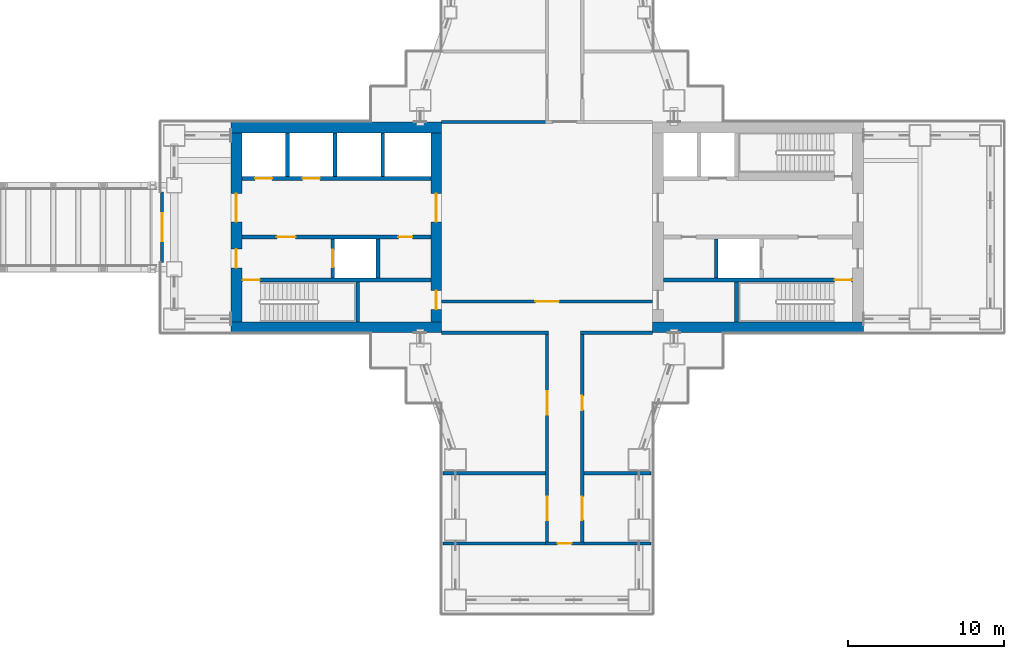
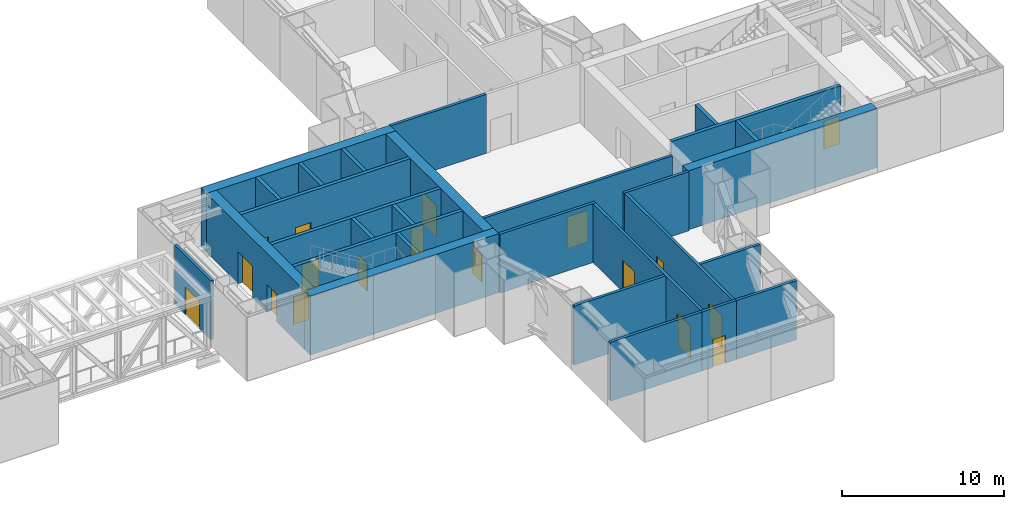
# One storey, part 13 of 23: 29 walls, 18 doors, 18 openings.
"""IFC4 building model written with IfcOpenShell, lengths in metres."""

from ifc_helpers import new_model, si_unit, direction, frame, frame_2d, origin, place, context, subcontext, project, spatial, rectangle, extrude, material, layer, layer_set, type_object, element, fill, save


model = new_model("IFC4")

# Units and contexts
model_context = context("Model", 3, precision=1e-05, world=origin(), true_north=direction((0.0, 1.0)))
body_context = subcontext(model_context, "Body", "Model", "MODEL_VIEW")
ifc_project = project(units=[si_unit("LENGTHUNIT", "METRE"), si_unit("AREAUNIT", "SQUARE_METRE"), si_unit("VOLUMEUNIT", "CUBIC_METRE"), si_unit("PLANEANGLEUNIT", "RADIAN"), si_unit("MASSUNIT", "GRAM", prefix="KILO")], contexts=[model_context])

# Site, building, storey
site_placement = place(None, origin())
site = spatial("IfcSite", under=ifc_project, at=site_placement, CompositionType="ELEMENT")
building_placement = place(site_placement, origin())
building = spatial("IfcBuilding", under=site, at=building_placement, Name="Shamsa Quay Exchange Towers", CompositionType="ELEMENT")
storey_placement = place(building_placement, frame((0.0, 0.0, 77.10009765625)))
storey = spatial("IfcBuildingStorey", under=building, at=storey_placement, Name="L17", CompositionType="ELEMENT", Elevation=77.10009765625)

# Walls
ifc_material_1 = material(Name="Concrete C80/95", Category="concrete")
ifc_layer_1 = layer(ifc_material_1, 0.699951171875)
ifc_layer_set_1 = layer_set([ifc_layer_1], Name="CORE WALL 700 C80/95")
wall_type_1 = type_object("IfcWallType", Name="CORE WALL 700 C80/95", PredefinedType="SHEAR", material=ifc_layer_set_1)
for number, where, name in (
    (1, (13.5, -6.39990234375, 0.0), "Core wall T2A-L17-PS"),
    (2, (13.5, 6.39990234375, 0.0), "Core wall T2A-L17-PN"),
):
    element("IfcWall", number, at=place(storey_placement, frame(where)), inside=storey, type_object=wall_type_1, Name=name, PredefinedType="SHEAR", context=body_context, shape_type="SweptSolid", body=[
        extrude(rectangle(XDim=13.5, YDim=0.699951171875, at=frame_2d((6.75, 0.0))), origin(), (0.0, 0.0, 1.0), 4.449951171875),
    ])

# Wall, openings, doors
wall_1_placement = place(storey_placement, frame((13.85009765625, 6.050048828125, 0.0), z_axis=(0.0, 0.0, 1.0), x_axis=(0.0, -1.0, 0.0)))
wall_1 = element("IfcWall", 3, at=wall_1_placement, inside=storey, type_object=wall_type_1, Name="Core wall T2A-L17-PF", PredefinedType="SHEAR", context=body_context, shape_type="SweptSolid", body=[
    extrude(rectangle(XDim=12.10009765625, YDim=0.699951171875, at=frame_2d((6.050048828125, 0.0))), origin(), (0.0, 0.0, 1.0), 4.449951171875),
])
opening_1_placement = place(wall_1_placement, frame((7.449951171875, 0.0, 0.0)))
opening_1 = element("IfcOpeningElement", 4, at=opening_1_placement, cuts=wall_1, Name="Opening T2A-L17-FD01", PredefinedType="OPENING", context=body_context, shape_type="SweptSolid", body=[
    extrude(rectangle(XDim=1.199951171875, YDim=2.10009765625, at=frame_2d((0.60009765625, 1.050048828125))), frame((0.0, 0.35986328125, 0.0), z_axis=(0.0, -1.0, 0.0), x_axis=(1.0, 0.0, 0.0)), (0.0, 0.0, 1.0), 0.719970703125),
])
opening_2_placement = place(wall_1_placement, frame((3.89990234375, 0.0, 0.0)))
opening_2 = element("IfcOpeningElement", 5, at=opening_2_placement, cuts=wall_1, Name="Opening T2A-L17-LBD02", PredefinedType="OPENING", context=body_context, shape_type="SweptSolid", body=[
    extrude(rectangle(XDim=1.800048828125, YDim=2.39990234375, at=frame_2d((0.89990234375, 1.199951171875))), frame((0.0, 0.35986328125, 0.0), z_axis=(0.0, -1.0, 0.0), x_axis=(1.0, 0.0, 0.0)), (0.0, 0.0, 1.0), 0.719970703125),
])
ifc_material_2 = material(Name="Steel, fire rated", Category="steel")
door_type_1 = type_object("IfcDoorType", Name="FIRE SERVICE LOBBY DOOR 1200", OperationType="SINGLE_SWING_LEFT", PredefinedType="DOOR", material=ifc_material_2)
door_1_placement = place(opening_1_placement, origin())
door_1 = element("IfcDoor", 6, at=door_1_placement, inside=storey, type_object=door_type_1, Name="T2A-L17-FD01", OperationType="SINGLE_SWING_RIGHT", OverallHeight=2.10009765625, OverallWidth=1.199951171875, PredefinedType="DOOR", context=body_context, shape_type="SweptSolid", body=[
    extrude(rectangle(XDim=1.199951171875, YDim=2.10009765625, at=frame_2d((0.60009765625, 1.050048828125))), frame((0.0, 0.02490234375, 0.0), z_axis=(0.0, -1.0, 0.0), x_axis=(1.0, 0.0, 0.0)), (0.0, 0.0, 1.0), 0.050048828125),
])
fill(opening_1, door_1)
door_type_2 = type_object("IfcDoorType", Name="LIFT LOBBY DOOR PAIR 1800", OperationType="DOUBLE_DOOR_SINGLE_SWING", PredefinedType="DOOR", material=ifc_material_2)
door_2_placement = place(opening_2_placement, origin())
door_2 = element("IfcDoor", 7, at=door_2_placement, inside=storey, type_object=door_type_2, Name="T2A-L17-LBD02", OperationType="DOUBLE_DOOR_SINGLE_SWING", OverallHeight=2.39990234375, OverallWidth=1.800048828125, PredefinedType="DOOR", context=body_context, shape_type="SweptSolid", body=[
    extrude(rectangle(XDim=1.800048828125, YDim=2.39990234375, at=frame_2d((0.89990234375, 1.199951171875))), frame((0.0, 0.02490234375, 0.0), z_axis=(0.0, -1.0, 0.0), x_axis=(1.0, 0.0, 0.0)), (0.0, 0.0, 1.0), 0.050048828125),
])
fill(opening_2, door_2)

wall_2_placement = place(storey_placement, frame((26.64990234375, 6.050048828125, 0.0), z_axis=(0.0, 0.0, 1.0), x_axis=(0.0, -1.0, 0.0)))
wall_2 = element("IfcWall", 8, at=wall_2_placement, inside=storey, type_object=wall_type_1, Name="Core wall T2A-L17-PB", PredefinedType="SHEAR", context=body_context, shape_type="SweptSolid", body=[
    extrude(rectangle(XDim=12.10009765625, YDim=0.699951171875, at=frame_2d((6.050048828125, 0.0))), origin(), (0.0, 0.0, 1.0), 4.449951171875),
])
opening_3_placement = place(wall_2_placement, frame((10.10009765625, 0.0, 0.0)))
opening_3 = element("IfcOpeningElement", 9, at=opening_3_placement, cuts=wall_2, Name="Opening T2A-L17-RD03", PredefinedType="OPENING", context=body_context, shape_type="SweptSolid", body=[
    extrude(rectangle(XDim=1.199951171875, YDim=2.10009765625, at=frame_2d((0.60009765625, 1.050048828125))), frame((0.0, 0.35986328125, 0.0), z_axis=(0.0, -1.0, 0.0), x_axis=(1.0, 0.0, 0.0)), (0.0, 0.0, 1.0), 0.719970703125),
])
opening_4_placement = place(wall_2_placement, frame((3.89990234375, 0.0, 0.0)))
opening_4 = element("IfcOpeningElement", 10, at=opening_4_placement, cuts=wall_2, Name="Opening T2A-L17-LBD04", PredefinedType="OPENING", context=body_context, shape_type="SweptSolid", body=[
    extrude(rectangle(XDim=1.800048828125, YDim=2.39990234375, at=frame_2d((0.89990234375, 1.199951171875))), frame((0.0, 0.35986328125, 0.0), z_axis=(0.0, -1.0, 0.0), x_axis=(1.0, 0.0, 0.0)), (0.0, 0.0, 1.0), 0.719970703125),
])
door_3_placement = place(opening_4_placement, origin())
door_3 = element("IfcDoor", 11, at=door_3_placement, inside=storey, type_object=door_type_2, Name="T2A-L17-LBD04", OperationType="DOUBLE_DOOR_SINGLE_SWING", OverallHeight=2.39990234375, OverallWidth=1.800048828125, PredefinedType="DOOR", context=body_context, shape_type="SweptSolid", body=[
    extrude(rectangle(XDim=1.800048828125, YDim=2.39990234375, at=frame_2d((0.89990234375, 1.199951171875))), frame((0.0, 0.02490234375, 0.0), z_axis=(0.0, -1.0, 0.0), x_axis=(1.0, 0.0, 0.0)), (0.0, 0.0, 1.0), 0.050048828125),
])
fill(opening_4, door_3)
door_type_3 = type_object("IfcDoorType", Name="RISER ACCESS DOOR 1200", OperationType="SINGLE_SWING_LEFT", PredefinedType="DOOR", material=ifc_material_2)
door_4_placement = place(opening_3_placement, origin())
door_4 = element("IfcDoor", 12, at=door_4_placement, inside=storey, type_object=door_type_3, Name="T2A-L17-RD03", OperationType="SINGLE_SWING_RIGHT", OverallHeight=2.10009765625, OverallWidth=1.199951171875, PredefinedType="DOOR", context=body_context, shape_type="SweptSolid", body=[
    extrude(rectangle(XDim=1.199951171875, YDim=2.10009765625, at=frame_2d((0.60009765625, 1.050048828125))), frame((0.0, 0.02490234375, 0.0), z_axis=(0.0, -1.0, 0.0), x_axis=(1.0, 0.0, 0.0)), (0.0, 0.0, 1.0), 0.050048828125),
])
fill(opening_3, door_4)

# Wall
wall_3_placement = place(storey_placement, frame((54.0, -6.39990234375, 0.0), z_axis=(0.0, 0.0, 1.0), x_axis=(-1.0, 0.0, 0.0)))
element("IfcWall", 13, at=wall_3_placement, inside=storey, type_object=wall_type_1, Name="Core wall T2B-L17-PS", PredefinedType="SHEAR", context=body_context, shape_type="SweptSolid", body=[
    extrude(rectangle(XDim=13.5, YDim=0.699951171875, at=frame_2d((6.75, 0.0))), origin(), (0.0, 0.0, 1.0), 4.449951171875),
])

# Wall, opening, door
ifc_material_3 = material(Name="Gypsum board partition on metal studs")
ifc_layer_2 = layer(ifc_material_3, 0.199951171875)
ifc_layer_set_2 = layer_set([ifc_layer_2], Name="Partition 200 mm EI 120")
wall_type_2 = type_object("IfcWallType", Name="Partition 200 mm EI 120", PredefinedType="PARTITIONING", material=ifc_layer_set_2)
wall_4_placement = place(storey_placement, frame((40.5, -4.75, 0.0), z_axis=(0.0, 0.0, 1.0), x_axis=(-1.0, 0.0, 0.0)))
wall_4 = element("IfcWall", 14, at=wall_4_placement, inside=storey, type_object=wall_type_2, Name="Partition T2-L17-W01", PredefinedType="PARTITIONING", context=body_context, shape_type="SweptSolid", body=[
    extrude(rectangle(XDim=13.5, YDim=0.199951171875, at=frame_2d((6.75, 0.0))), origin(), (0.0, 0.0, 1.0), 4.449951171875),
])
opening_5_placement = place(wall_4_placement, frame((6.0, 0.0, 0.0)))
opening_5 = element("IfcOpeningElement", 15, at=opening_5_placement, cuts=wall_4, Name="Opening T2-L17-D12", PredefinedType="OPENING", context=body_context, shape_type="SweptSolid", body=[
    extrude(rectangle(XDim=1.5, YDim=2.39990234375, at=frame_2d((0.75, 1.199951171875))), frame((0.0, 0.10986328125, 0.0), z_axis=(0.0, -1.0, 0.0), x_axis=(1.0, 0.0, 0.0)), (0.0, 0.0, 1.0), 0.219970703125),
])
ifc_material_4 = material(Name="Timber door leaf in a metal frame", Category="wood")
door_type_4 = type_object("IfcDoorType", Name="Door 1500x2400 FD60 pair", OperationType="NOTDEFINED", PredefinedType="DOOR", material=ifc_material_4)
door_5_placement = place(opening_5_placement, origin())
door_5 = element("IfcDoor", 16, at=door_5_placement, inside=storey, type_object=door_type_4, Name="Door T2-L17-D12", OperationType="DOUBLE_DOOR_SINGLE_SWING", OverallHeight=2.39990234375, OverallWidth=1.5, PredefinedType="DOOR", context=body_context, shape_type="SweptSolid", body=[
    extrude(rectangle(XDim=1.5, YDim=2.39990234375, at=frame_2d((0.75, 1.199951171875))), frame((0.0, 0.02490234375, 0.0), z_axis=(0.0, -1.0, 0.0), x_axis=(1.0, 0.0, 0.0)), (0.0, 0.0, 1.0), 0.050048828125),
])
fill(opening_5, door_5)

# Walls
wall_5_placement = place(storey_placement, frame((33.85009765625, -6.75, 0.0), z_axis=(0.0, 0.0, 1.0), x_axis=(-1.0, 0.0, 0.0)))
element("IfcWall", 17, at=wall_5_placement, inside=storey, type_object=wall_type_2, Name="Partition T2-L17-W02", PredefinedType="PARTITIONING", context=body_context, shape_type="SweptSolid", body=[
    extrude(rectangle(XDim=6.85009765625, YDim=0.199951171875, at=frame_2d((3.425048828125, 0.0))), origin(), (0.0, 0.0, 1.0), 4.449951171875),
])
wall_6_placement = place(storey_placement, frame((40.5, -6.75, 0.0), z_axis=(0.0, 0.0, 1.0), x_axis=(-1.0, 0.0, 0.0)))
element("IfcWall", 18, at=wall_6_placement, inside=storey, type_object=wall_type_2, Name="Partition T2-L17-W03", PredefinedType="PARTITIONING", context=body_context, shape_type="SweptSolid", body=[
    extrude(rectangle(XDim=4.60009765625, YDim=0.199951171875, at=frame_2d((2.300048828125, 0.0))), origin(), (0.0, 0.0, 1.0), 4.449951171875),
])

# Wall, openings, doors
wall_7_placement = place(storey_placement, frame((33.75, -20.14990234375, 0.0), z_axis=(0.0, 0.0, 1.0), x_axis=(0.0, 1.0, 0.0)))
wall_7 = element("IfcWall", 19, at=wall_7_placement, inside=storey, type_object=wall_type_2, Name="Partition T2-L17-W05", PredefinedType="PARTITIONING", context=body_context, shape_type="SweptSolid", body=[
    extrude(rectangle(XDim=13.2998046875, YDim=0.199951171875, at=frame_2d((6.64990234375, 0.0))), origin(), (0.0, 0.0, 1.0), 4.449951171875),
])
opening_6_placement = place(wall_7_placement, frame((8.14990234375, 0.0, 0.0)))
opening_6 = element("IfcOpeningElement", 20, at=opening_6_placement, cuts=wall_7, Name="Opening T2-L17-D08", PredefinedType="OPENING", context=body_context, shape_type="SweptSolid", body=[
    extrude(rectangle(XDim=1.5, YDim=2.39990234375, at=frame_2d((0.75, 1.199951171875))), frame((0.0, 0.10986328125, 0.0), z_axis=(0.0, -1.0, 0.0), x_axis=(1.0, 0.0, 0.0)), (0.0, 0.0, 1.0), 0.219970703125),
])
opening_7_placement = place(wall_7_placement, frame((1.39990234375, 0.0, 0.0)))
opening_7 = element("IfcOpeningElement", 21, at=opening_7_placement, cuts=wall_7, Name="Opening T2-L17-D09", PredefinedType="OPENING", context=body_context, shape_type="SweptSolid", body=[
    extrude(rectangle(XDim=1.5, YDim=2.39990234375, at=frame_2d((0.75, 1.199951171875))), frame((0.0, 0.10986328125, 0.0), z_axis=(0.0, -1.0, 0.0), x_axis=(1.0, 0.0, 0.0)), (0.0, 0.0, 1.0), 0.219970703125),
])
door_6_placement = place(opening_6_placement, origin())
door_6 = element("IfcDoor", 22, at=door_6_placement, inside=storey, type_object=door_type_4, Name="Door T2-L17-D08", OperationType="DOUBLE_DOOR_SINGLE_SWING", OverallHeight=2.39990234375, OverallWidth=1.5, PredefinedType="DOOR", context=body_context, shape_type="SweptSolid", body=[
    extrude(rectangle(XDim=1.5, YDim=2.39990234375, at=frame_2d((0.75, 1.199951171875))), frame((0.0, 0.02490234375, 0.0), z_axis=(0.0, -1.0, 0.0), x_axis=(1.0, 0.0, 0.0)), (0.0, 0.0, 1.0), 0.050048828125),
])
fill(opening_6, door_6)
door_7_placement = place(opening_7_placement, origin())
door_7 = element("IfcDoor", 23, at=door_7_placement, inside=storey, type_object=door_type_4, Name="Door T2-L17-D09", OperationType="DOUBLE_DOOR_SINGLE_SWING", OverallHeight=2.39990234375, OverallWidth=1.5, PredefinedType="DOOR", context=body_context, shape_type="SweptSolid", body=[
    extrude(rectangle(XDim=1.5, YDim=2.39990234375, at=frame_2d((0.75, 1.199951171875))), frame((0.0, 0.02490234375, 0.0), z_axis=(0.0, -1.0, 0.0), x_axis=(1.0, 0.0, 0.0)), (0.0, 0.0, 1.0), 0.050048828125),
])
fill(opening_7, door_7)

wall_8_placement = place(storey_placement, frame((36.0, -6.85009765625, 0.0), z_axis=(0.0, 0.0, 1.0), x_axis=(0.0, -1.0, 0.0)))
wall_8 = element("IfcWall", 24, at=wall_8_placement, inside=storey, type_object=wall_type_2, Name="Partition T2-L17-W06", PredefinedType="PARTITIONING", context=body_context, shape_type="SweptSolid", body=[
    extrude(rectangle(XDim=13.2998046875, YDim=0.199951171875, at=frame_2d((6.64990234375, 0.0))), origin(), (0.0, 0.0, 1.0), 4.449951171875),
])
opening_8_placement = place(wall_8_placement, frame((10.39990234375, 0.0, 0.0)))
opening_8 = element("IfcOpeningElement", 25, at=opening_8_placement, cuts=wall_8, Name="Opening T2-L17-D01", PredefinedType="OPENING", context=body_context, shape_type="SweptSolid", body=[
    extrude(rectangle(XDim=1.5, YDim=2.39990234375, at=frame_2d((0.75, 1.199951171875))), frame((0.0, 0.10986328125, 0.0), z_axis=(0.0, -1.0, 0.0), x_axis=(1.0, 0.0, 0.0)), (0.0, 0.0, 1.0), 0.219970703125),
])
opening_9_placement = place(wall_8_placement, frame((3.949951171875, 0.0, 0.0)))
opening_9 = element("IfcOpeningElement", 26, at=opening_9_placement, cuts=wall_8, Name="Opening T2-L17-D02", PredefinedType="OPENING", context=body_context, shape_type="SweptSolid", body=[
    extrude(rectangle(XDim=0.89990234375, YDim=2.10009765625, at=frame_2d((0.449951171875, 1.050048828125))), frame((0.0, 0.10986328125, 0.0), z_axis=(0.0, -1.0, 0.0), x_axis=(1.0, 0.0, 0.0)), (0.0, 0.0, 1.0), 0.219970703125),
])
door_8_placement = place(opening_8_placement, origin())
door_8 = element("IfcDoor", 27, at=door_8_placement, inside=storey, type_object=door_type_4, Name="Door T2-L17-D01", OperationType="DOUBLE_DOOR_SINGLE_SWING", OverallHeight=2.39990234375, OverallWidth=1.5, PredefinedType="DOOR", context=body_context, shape_type="SweptSolid", body=[
    extrude(rectangle(XDim=1.5, YDim=2.39990234375, at=frame_2d((0.75, 1.199951171875))), frame((0.0, 0.02490234375, 0.0), z_axis=(0.0, -1.0, 0.0), x_axis=(1.0, 0.0, 0.0)), (0.0, 0.0, 1.0), 0.050048828125),
])
fill(opening_8, door_8)
door_type_5 = type_object("IfcDoorType", Name="Door 900x2100 FD60", OperationType="NOTDEFINED", PredefinedType="DOOR", material=ifc_material_4)
door_9_placement = place(opening_9_placement, origin())
door_9 = element("IfcDoor", 28, at=door_9_placement, inside=storey, type_object=door_type_5, Name="Door T2-L17-D02", OperationType="SINGLE_SWING_LEFT", OverallHeight=2.10009765625, OverallWidth=0.89990234375, PredefinedType="DOOR", context=body_context, shape_type="SweptSolid", body=[
    extrude(rectangle(XDim=0.89990234375, YDim=2.10009765625, at=frame_2d((0.449951171875, 1.050048828125))), frame((0.0, 0.02490234375, 0.0), z_axis=(0.0, -1.0, 0.0), x_axis=(1.0, 0.0, 0.0)), (0.0, 0.0, 1.0), 0.050048828125),
])
fill(opening_9, door_9)

# Walls
wall_9_placement = place(storey_placement, frame((33.85009765625, 6.75, 0.0), z_axis=(0.0, 0.0, 1.0), x_axis=(-1.0, 0.0, 0.0)))
element("IfcWall", 29, at=wall_9_placement, inside=storey, type_object=wall_type_2, Name="Partition T2-L17-W11", PredefinedType="PARTITIONING", context=body_context, shape_type="SweptSolid", body=[
    extrude(rectangle(XDim=6.85009765625, YDim=0.199951171875, at=frame_2d((3.425048828125, 0.0))), origin(), (0.0, 0.0, 1.0), 4.449951171875),
])
wall_10_placement = place(storey_placement, frame((36.10009765625, -15.75, 0.0)))
element("IfcWall", 30, at=wall_10_placement, inside=storey, type_object=wall_type_2, Name="Partition T2-L17-W17", PredefinedType="PARTITIONING", context=body_context, shape_type="SweptSolid", body=[
    extrude(rectangle(XDim=4.304931640625, YDim=0.199951171875, at=frame_2d((2.15234375, 0.0))), origin(), (0.0, 0.0, 1.0), 4.449951171875),
])
wall_11_placement = place(storey_placement, frame((27.094970703125, -15.75, 0.0)))
element("IfcWall", 31, at=wall_11_placement, inside=storey, type_object=wall_type_2, Name="Partition T2-L17-W18", PredefinedType="PARTITIONING", context=body_context, shape_type="SweptSolid", body=[
    extrude(rectangle(XDim=6.554931640625, YDim=0.199951171875, at=frame_2d((3.27734375, 0.0))), origin(), (0.0, 0.0, 1.0), 4.449951171875),
])
wall_12_placement = place(storey_placement, frame((35.89990234375, -20.25, 0.0)))
element("IfcWall", 32, at=wall_12_placement, inside=storey, type_object=wall_type_2, Name="Partition T2-L17-W19", PredefinedType="PARTITIONING", context=body_context, shape_type="SweptSolid", body=[
    extrude(rectangle(XDim=4.505126953125, YDim=0.199951171875, at=frame_2d((2.25244140625, 0.0))), origin(), (0.0, 0.0, 1.0), 4.449951171875),
])
wall_13_placement = place(storey_placement, frame((27.094970703125, -20.25, 0.0)))
element("IfcWall", 33, at=wall_13_placement, inside=storey, type_object=wall_type_2, Name="Partition T2-L17-W20", PredefinedType="PARTITIONING", context=body_context, shape_type="SweptSolid", body=[
    extrude(rectangle(XDim=6.755126953125, YDim=0.199951171875, at=frame_2d((3.37744140625, 0.0))), origin(), (0.0, 0.0, 1.0), 4.449951171875),
])

# Wall, opening, door
ifc_layer_3 = layer(ifc_material_3, 0.199951171875)
ifc_layer_set_3 = layer_set([ifc_layer_3], Name="Partition 200 mm EI 90")
wall_type_3 = type_object("IfcWallType", Name="Partition 200 mm EI 90", PredefinedType="PARTITIONING", material=ifc_layer_set_3)
wall_14_placement = place(storey_placement, frame((36.10009765625, -20.25, 0.0), z_axis=(0.0, 0.0, 1.0), x_axis=(-1.0, 0.0, 0.0)))
wall_14 = element("IfcWall", 34, at=wall_14_placement, inside=storey, type_object=wall_type_3, Name="Partition T2-L17-W08", PredefinedType="PARTITIONING", context=body_context, shape_type="SweptSolid", body=[
    extrude(rectangle(XDim=2.4501953125, YDim=0.199951171875, at=frame_2d((1.22509765625, 0.0))), origin(), (0.0, 0.0, 1.0), 4.449951171875),
])
opening_10_placement = place(wall_14_placement, frame((0.77490234375, 0.0, 0.0)))
opening_10 = element("IfcOpeningElement", 35, at=opening_10_placement, cuts=wall_14, Name="Opening T2-L17-D07", PredefinedType="OPENING", context=body_context, shape_type="SweptSolid", body=[
    extrude(rectangle(XDim=0.89990234375, YDim=2.10009765625, at=frame_2d((0.449951171875, 1.050048828125))), frame((0.0, 0.10986328125, 0.0), z_axis=(0.0, -1.0, 0.0), x_axis=(1.0, 0.0, 0.0)), (0.0, 0.0, 1.0), 0.219970703125),
])
door_10_placement = place(opening_10_placement, origin())
door_10 = element("IfcDoor", 36, at=door_10_placement, inside=storey, type_object=door_type_5, Name="Door T2-L17-D07", OperationType="SINGLE_SWING_RIGHT", OverallHeight=2.10009765625, OverallWidth=0.89990234375, PredefinedType="DOOR", context=body_context, shape_type="SweptSolid", body=[
    extrude(rectangle(XDim=0.89990234375, YDim=2.10009765625, at=frame_2d((0.449951171875, 1.050048828125))), frame((0.0, 0.02490234375, 0.0), z_axis=(0.0, -1.0, 0.0), x_axis=(1.0, 0.0, 0.0)), (0.0, 0.0, 1.0), 0.050048828125),
])
fill(opening_10, door_10)

ifc_material_5 = material(Name="Fire-rated masonry and board wall", Category="masonry")
ifc_layer_4 = layer(ifc_material_5, 0.199951171875)
ifc_layer_set_4 = layer_set([ifc_layer_4], Name="Portal wall 200 mm EI 120")
wall_type_4 = type_object("IfcWallType", Name="Portal wall 200 mm EI 120", PredefinedType="PARTITIONING", material=ifc_layer_set_4)
wall_15_placement = place(storey_placement, frame((9.10009765625, 2.25, 0.0), z_axis=(0.0, 0.0, 1.0), x_axis=(0.0, -1.0, 0.0)))
wall_15 = element("IfcWall", 37, at=wall_15_placement, inside=storey, type_object=wall_type_4, Name="Portal wall T2-L17-W21", PredefinedType="PARTITIONING", context=body_context, shape_type="SweptSolid", body=[
    extrude(rectangle(XDim=4.5, YDim=0.199951171875, at=frame_2d((2.25, 0.0))), origin(), (0.0, 0.0, 1.0), 4.449951171875),
])
opening_11_placement = place(wall_15_placement, frame((1.35009765625, 0.0, 0.0)))
opening_11 = element("IfcOpeningElement", 38, at=opening_11_placement, cuts=wall_15, Name="Opening T2-L17-D13", PredefinedType="OPENING", context=body_context, shape_type="SweptSolid", body=[
    extrude(rectangle(XDim=1.800048828125, YDim=2.10009765625, at=frame_2d((0.89990234375, 1.050048828125))), frame((0.0, 0.10986328125, 0.0), z_axis=(0.0, -1.0, 0.0), x_axis=(1.0, 0.0, 0.0)), (0.0, 0.0, 1.0), 0.219970703125),
])
door_type_6 = type_object("IfcDoorType", Name="Door 1800x2100 FD90 pair", OperationType="NOTDEFINED", PredefinedType="DOOR", material=ifc_material_4)
door_11_placement = place(opening_11_placement, origin())
door_11 = element("IfcDoor", 39, at=door_11_placement, inside=storey, type_object=door_type_6, Name="Door T2-L17-D13", OperationType="DOUBLE_DOOR_SINGLE_SWING", OverallHeight=2.10009765625, OverallWidth=1.800048828125, PredefinedType="DOOR", context=body_context, shape_type="SweptSolid", body=[
    extrude(rectangle(XDim=1.800048828125, YDim=2.10009765625, at=frame_2d((0.89990234375, 1.050048828125))), frame((0.0, 0.02490234375, 0.0), z_axis=(0.0, -1.0, 0.0), x_axis=(1.0, 0.0, 0.0)), (0.0, 0.0, 1.0), 0.050048828125),
])
fill(opening_11, door_11)

ifc_material_6 = material(Name="Concrete C50/60", Category="concrete")
ifc_layer_5 = layer(ifc_material_6, 0.25)
ifc_layer_set_5 = layer_set([ifc_layer_5], Name="SHAFT WALL 250 C50/60")
wall_type_5 = type_object("IfcWallType", Name="SHAFT WALL 250 C50/60", PredefinedType="SHEAR", material=ifc_layer_set_5)
wall_16_placement = place(storey_placement, frame((26.300048828125, -3.375, 0.0), z_axis=(0.0, 0.0, 1.0), x_axis=(-1.0, 0.0, 0.0)))
wall_16 = element("IfcWall", 40, at=wall_16_placement, inside=storey, type_object=wall_type_5, Name="Shaft wall T2A-L17-STL", PredefinedType="SHEAR", context=body_context, shape_type="SweptSolid", body=[
    extrude(rectangle(XDim=12.10009765625, YDim=0.25, at=frame_2d((6.050048828125, 0.0))), origin(), (0.0, 0.0, 1.0), 4.449951171875),
])
opening_12_placement = place(wall_16_placement, frame((10.949951171875, 0.0, 0.0)))
opening_12 = element("IfcOpeningElement", 41, at=opening_12_placement, cuts=wall_16, Name="Opening T2A-L17-SD05", PredefinedType="OPENING", context=body_context, shape_type="SweptSolid", body=[
    extrude(rectangle(XDim=1.10009765625, YDim=2.10009765625, at=frame_2d((0.550048828125, 1.050048828125))), frame((0.0, 0.135009765625, 0.0), z_axis=(0.0, -1.0, 0.0), x_axis=(1.0, 0.0, 0.0)), (0.0, 0.0, 1.0), 0.27001953125),
])
door_type_7 = type_object("IfcDoorType", Name="STAIR DOOR 1100", OperationType="SINGLE_SWING_LEFT", PredefinedType="DOOR", material=ifc_material_2)
door_12_placement = place(opening_12_placement, origin())
door_12 = element("IfcDoor", 42, at=door_12_placement, inside=storey, type_object=door_type_7, Name="T2A-L17-SD05", OperationType="SINGLE_SWING_RIGHT", OverallHeight=2.10009765625, OverallWidth=1.10009765625, PredefinedType="DOOR", context=body_context, shape_type="SweptSolid", body=[
    extrude(rectangle(XDim=1.10009765625, YDim=2.10009765625, at=frame_2d((0.550048828125, 1.050048828125))), frame((0.0, 0.02490234375, 0.0), z_axis=(0.0, -1.0, 0.0), x_axis=(1.0, 0.0, 0.0)), (0.0, 0.0, 1.0), 0.050048828125),
])
fill(opening_12, door_12)

# Wall
wall_17_placement = place(storey_placement, frame((21.625, -6.050048828125, 0.0), z_axis=(0.0, 0.0, 1.0), x_axis=(0.0, 1.0, 0.0)))
element("IfcWall", 43, at=wall_17_placement, inside=storey, type_object=wall_type_5, Name="Shaft wall T2A-L17-STF", PredefinedType="SHEAR", context=body_context, shape_type="SweptSolid", body=[
    extrude(rectangle(XDim=2.550048828125, YDim=0.25, at=frame_2d((1.27490234375, 0.0))), origin(), (0.0, 0.0, 1.0), 4.449951171875),
])

# Wall, openings, doors
wall_18_placement = place(storey_placement, frame((26.300048828125, -0.625, 0.0), z_axis=(0.0, 0.0, 1.0), x_axis=(-1.0, 0.0, 0.0)))
wall_18 = element("IfcWall", 44, at=wall_18_placement, inside=storey, type_object=wall_type_5, Name="Shaft wall T2A-L17-B", PredefinedType="SHEAR", context=body_context, shape_type="SweptSolid", body=[
    extrude(rectangle(XDim=12.10009765625, YDim=0.25, at=frame_2d((6.050048828125, 0.0))), origin(), (0.0, 0.0, 1.0), 4.449951171875),
])
opening_13_placement = place(wall_18_placement, frame((8.64990234375, 0.0, 0.0)))
opening_13 = element("IfcOpeningElement", 45, at=opening_13_placement, cuts=wall_18, Name="Opening T2A-L17-FD06", PredefinedType="OPENING", context=body_context, shape_type="SweptSolid", body=[
    extrude(rectangle(XDim=1.199951171875, YDim=2.10009765625, at=frame_2d((0.60009765625, 1.050048828125))), frame((0.0, 0.135009765625, 0.0), z_axis=(0.0, -1.0, 0.0), x_axis=(1.0, 0.0, 0.0)), (0.0, 0.0, 1.0), 0.27001953125),
])
opening_14_placement = place(wall_18_placement, frame((1.175048828125, 0.0, 0.0)))
opening_14 = element("IfcOpeningElement", 46, at=opening_14_placement, cuts=wall_18, Name="Opening T2A-L17-SV07", PredefinedType="OPENING", context=body_context, shape_type="SweptSolid", body=[
    extrude(rectangle(XDim=0.89990234375, YDim=2.10009765625, at=frame_2d((0.449951171875, 1.050048828125))), frame((0.0, 0.135009765625, 0.0), z_axis=(0.0, -1.0, 0.0), x_axis=(1.0, 0.0, 0.0)), (0.0, 0.0, 1.0), 0.27001953125),
])
door_13_placement = place(opening_13_placement, origin())
door_13 = element("IfcDoor", 47, at=door_13_placement, inside=storey, type_object=door_type_1, Name="T2A-L17-FD06", OperationType="SINGLE_SWING_RIGHT", OverallHeight=2.10009765625, OverallWidth=1.199951171875, PredefinedType="DOOR", context=body_context, shape_type="SweptSolid", body=[
    extrude(rectangle(XDim=1.199951171875, YDim=2.10009765625, at=frame_2d((0.60009765625, 1.050048828125))), frame((0.0, 0.02490234375, 0.0), z_axis=(0.0, -1.0, 0.0), x_axis=(1.0, 0.0, 0.0)), (0.0, 0.0, 1.0), 0.050048828125),
])
fill(opening_13, door_13)
door_type_8 = type_object("IfcDoorType", Name="SERVICE ROOM DOOR 900", OperationType="SINGLE_SWING_LEFT", PredefinedType="DOOR", material=ifc_material_2)
door_14_placement = place(opening_14_placement, origin())
door_14 = element("IfcDoor", 48, at=door_14_placement, inside=storey, type_object=door_type_8, Name="T2A-L17-SV07", OperationType="SINGLE_SWING_LEFT", OverallHeight=2.10009765625, OverallWidth=0.89990234375, PredefinedType="DOOR", context=body_context, shape_type="SweptSolid", body=[
    extrude(rectangle(XDim=0.89990234375, YDim=2.10009765625, at=frame_2d((0.449951171875, 1.050048828125))), frame((0.0, 0.02490234375, 0.0), z_axis=(0.0, -1.0, 0.0), x_axis=(1.0, 0.0, 0.0)), (0.0, 0.0, 1.0), 0.050048828125),
])
fill(opening_14, door_14)

# Wall, opening, door
wall_19_placement = place(storey_placement, frame((20.02490234375, -3.25, 0.0), z_axis=(0.0, 0.0, 1.0), x_axis=(0.0, 1.0, 0.0)))
wall_19 = element("IfcWall", 49, at=wall_19_placement, inside=storey, type_object=wall_type_5, Name="Shaft wall T2A-L17-FFF", PredefinedType="SHEAR", context=body_context, shape_type="SweptSolid", body=[
    extrude(rectangle(XDim=2.5, YDim=0.25, at=frame_2d((1.25, 0.0))), origin(), (0.0, 0.0, 1.0), 4.449951171875),
])
opening_15_placement = place(wall_19_placement, frame((0.699951171875, 0.0, 0.0)))
opening_15 = element("IfcOpeningElement", 50, at=opening_15_placement, cuts=wall_19, Name="Opening T2A-L17-LDF08", PredefinedType="OPENING", context=body_context, shape_type="SweptSolid", body=[
    extrude(rectangle(XDim=1.10009765625, YDim=2.10009765625, at=frame_2d((0.550048828125, 1.050048828125))), frame((0.0, 0.135009765625, 0.0), z_axis=(0.0, -1.0, 0.0), x_axis=(1.0, 0.0, 0.0)), (0.0, 0.0, 1.0), 0.27001953125),
])
door_type_9 = type_object("IfcDoorType", Name="FIRE SERVICE LANDING DOOR 1100", OperationType="SLIDING_TO_LEFT", PredefinedType="DOOR", material=ifc_material_2)
door_15_placement = place(opening_15_placement, origin())
door_15 = element("IfcDoor", 51, at=door_15_placement, inside=storey, type_object=door_type_9, Name="T2A-L17-LDF08", OperationType="SLIDING_TO_LEFT", OverallHeight=2.10009765625, OverallWidth=1.10009765625, PredefinedType="DOOR", context=body_context, shape_type="SweptSolid", body=[
    extrude(rectangle(XDim=1.10009765625, YDim=2.10009765625, at=frame_2d((0.550048828125, 1.050048828125))), frame((0.0, 0.02490234375, 0.0), z_axis=(0.0, -1.0, 0.0), x_axis=(1.0, 0.0, 0.0)), (0.0, 0.0, 1.0), 0.050048828125),
])
fill(opening_15, door_15)

# Wall
wall_20_placement = place(storey_placement, frame((22.925048828125, -3.25, 0.0), z_axis=(0.0, 0.0, 1.0), x_axis=(0.0, 1.0, 0.0)))
element("IfcWall", 52, at=wall_20_placement, inside=storey, type_object=wall_type_5, Name="Shaft wall T2A-L17-FFB", PredefinedType="SHEAR", context=body_context, shape_type="SweptSolid", body=[
    extrude(rectangle(XDim=2.5, YDim=0.25, at=frame_2d((1.25, 0.0))), origin(), (0.0, 0.0, 1.0), 4.449951171875),
])

# Wall, openings, doors
wall_21_placement = place(storey_placement, frame((14.199951171875, 3.125, 0.0)))
wall_21 = element("IfcWall", 53, at=wall_21_placement, inside=storey, type_object=wall_type_5, Name="Shaft wall T2A-L17-N", PredefinedType="SHEAR", context=body_context, shape_type="SweptSolid", body=[
    extrude(rectangle(XDim=12.10009765625, YDim=0.25, at=frame_2d((6.050048828125, 0.0))), origin(), (0.0, 0.0, 1.0), 4.449951171875),
])
opening_16_placement = place(wall_21_placement, frame((0.85009765625, 0.0, 0.0)))
opening_16 = element("IfcOpeningElement", 54, at=opening_16_placement, cuts=wall_21, Name="Opening T2A-L17-LD09", PredefinedType="OPENING", context=body_context, shape_type="SweptSolid", body=[
    extrude(rectangle(XDim=1.10009765625, YDim=2.10009765625, at=frame_2d((0.550048828125, 1.050048828125))), frame((0.0, 0.135009765625, 0.0), z_axis=(0.0, -1.0, 0.0), x_axis=(1.0, 0.0, 0.0)), (0.0, 0.0, 1.0), 0.27001953125),
])
opening_17_placement = place(wall_21_placement, frame((3.89990234375, 0.0, 0.0)))
opening_17 = element("IfcOpeningElement", 55, at=opening_17_placement, cuts=wall_21, Name="Opening T2A-L17-LD10", PredefinedType="OPENING", context=body_context, shape_type="SweptSolid", body=[
    extrude(rectangle(XDim=1.10009765625, YDim=2.10009765625, at=frame_2d((0.550048828125, 1.050048828125))), frame((0.0, 0.135009765625, 0.0), z_axis=(0.0, -1.0, 0.0), x_axis=(1.0, 0.0, 0.0)), (0.0, 0.0, 1.0), 0.27001953125),
])
door_type_10 = type_object("IfcDoorType", Name="LANDING DOOR 1100", OperationType="SLIDING_TO_LEFT", PredefinedType="DOOR", material=ifc_material_2)
door_16_placement = place(opening_16_placement, origin())
door_16 = element("IfcDoor", 56, at=door_16_placement, inside=storey, type_object=door_type_10, Name="T2A-L17-LD09", OperationType="SLIDING_TO_LEFT", OverallHeight=2.10009765625, OverallWidth=1.10009765625, PredefinedType="DOOR", context=body_context, shape_type="SweptSolid", body=[
    extrude(rectangle(XDim=1.10009765625, YDim=2.10009765625, at=frame_2d((0.550048828125, 1.050048828125))), frame((0.0, 0.02490234375, 0.0), z_axis=(0.0, -1.0, 0.0), x_axis=(1.0, 0.0, 0.0)), (0.0, 0.0, 1.0), 0.050048828125),
])
fill(opening_16, door_16)
door_17_placement = place(opening_17_placement, origin())
door_17 = element("IfcDoor", 57, at=door_17_placement, inside=storey, type_object=door_type_10, Name="T2A-L17-LD10", OperationType="SLIDING_TO_LEFT", OverallHeight=2.10009765625, OverallWidth=1.10009765625, PredefinedType="DOOR", context=body_context, shape_type="SweptSolid", body=[
    extrude(rectangle(XDim=1.10009765625, YDim=2.10009765625, at=frame_2d((0.550048828125, 1.050048828125))), frame((0.0, 0.02490234375, 0.0), z_axis=(0.0, -1.0, 0.0), x_axis=(1.0, 0.0, 0.0)), (0.0, 0.0, 1.0), 0.050048828125),
])
fill(opening_17, door_17)

# Walls
for number, where, z_axis, x_axis, name in (
    (58, (17.125, 3.25, 0.0), (0.0, 0.0, 1.0), (0.0, 1.0, 0.0), "Shaft wall T2A-L17-D0"),
    (59, (20.175048828125, 3.25, 0.0), (0.0, 0.0, 1.0), (0.0, 1.0, 0.0), "Shaft wall T2A-L17-D1"),
    (60, (23.22509765625, 3.25, 0.0), (0.0, 0.0, 1.0), (0.0, 1.0, 0.0), "Shaft wall T2A-L17-D2"),
):
    element("IfcWall", number, at=place(storey_placement, frame(where, z_axis=z_axis, x_axis=x_axis)), inside=storey, type_object=wall_type_5, Name=name, PredefinedType="SHEAR", context=body_context, shape_type="SweptSolid", body=[
        extrude(rectangle(XDim=2.800048828125, YDim=0.25, at=frame_2d((1.39990234375, 0.0))), origin(), (0.0, 0.0, 1.0), 4.449951171875),
    ])

# Wall, opening, door
wall_22_placement = place(storey_placement, frame((53.300048828125, -3.375, 0.0), z_axis=(0.0, 0.0, 1.0), x_axis=(-1.0, 0.0, 0.0)))
wall_22 = element("IfcWall", 61, at=wall_22_placement, inside=storey, type_object=wall_type_5, Name="Shaft wall T2B-L17-STL", PredefinedType="SHEAR", context=body_context, shape_type="SweptSolid", body=[
    extrude(rectangle(XDim=12.10009765625, YDim=0.25, at=frame_2d((6.050048828125, 0.0))), origin(), (0.0, 0.0, 1.0), 4.449951171875),
])
opening_18_placement = place(wall_22_placement, frame((0.050048828125, 0.0, 0.0)))
opening_18 = element("IfcOpeningElement", 62, at=opening_18_placement, cuts=wall_22, Name="Opening T2B-L17-SD05", PredefinedType="OPENING", context=body_context, shape_type="SweptSolid", body=[
    extrude(rectangle(XDim=1.10009765625, YDim=2.10009765625, at=frame_2d((0.550048828125, 1.050048828125))), frame((0.0, 0.135009765625, 0.0), z_axis=(0.0, -1.0, 0.0), x_axis=(1.0, 0.0, 0.0)), (0.0, 0.0, 1.0), 0.27001953125),
])
door_18_placement = place(opening_18_placement, origin())
door_18 = element("IfcDoor", 63, at=door_18_placement, inside=storey, type_object=door_type_7, Name="T2B-L17-SD05", OperationType="SINGLE_SWING_LEFT", OverallHeight=2.10009765625, OverallWidth=1.10009765625, PredefinedType="DOOR", context=body_context, shape_type="SweptSolid", body=[
    extrude(rectangle(XDim=1.10009765625, YDim=2.10009765625, at=frame_2d((0.550048828125, 1.050048828125))), frame((0.0, 0.02490234375, 0.0), z_axis=(0.0, -1.0, 0.0), x_axis=(1.0, 0.0, 0.0)), (0.0, 0.0, 1.0), 0.050048828125),
])
fill(opening_18, door_18)

# Walls
wall_23_placement = place(storey_placement, frame((45.875, -6.050048828125, 0.0), z_axis=(0.0, 0.0, 1.0), x_axis=(0.0, 1.0, 0.0)))
element("IfcWall", 64, at=wall_23_placement, inside=storey, type_object=wall_type_5, Name="Shaft wall T2B-L17-STF", PredefinedType="SHEAR", context=body_context, shape_type="SweptSolid", body=[
    extrude(rectangle(XDim=2.550048828125, YDim=0.25, at=frame_2d((1.27490234375, 0.0))), origin(), (0.0, 0.0, 1.0), 4.449951171875),
])
wall_24_placement = place(storey_placement, frame((44.574951171875, -3.25, 0.0), z_axis=(0.0, 0.0, 1.0), x_axis=(0.0, 1.0, 0.0)))
element("IfcWall", 65, at=wall_24_placement, inside=storey, type_object=wall_type_5, Name="Shaft wall T2B-L17-FFB", PredefinedType="SHEAR", context=body_context, shape_type="SweptSolid", body=[
    extrude(rectangle(XDim=2.5, YDim=0.25, at=frame_2d((1.25, 0.0))), origin(), (0.0, 0.0, 1.0), 4.449951171875),
])

save(model, "model.ifc")
